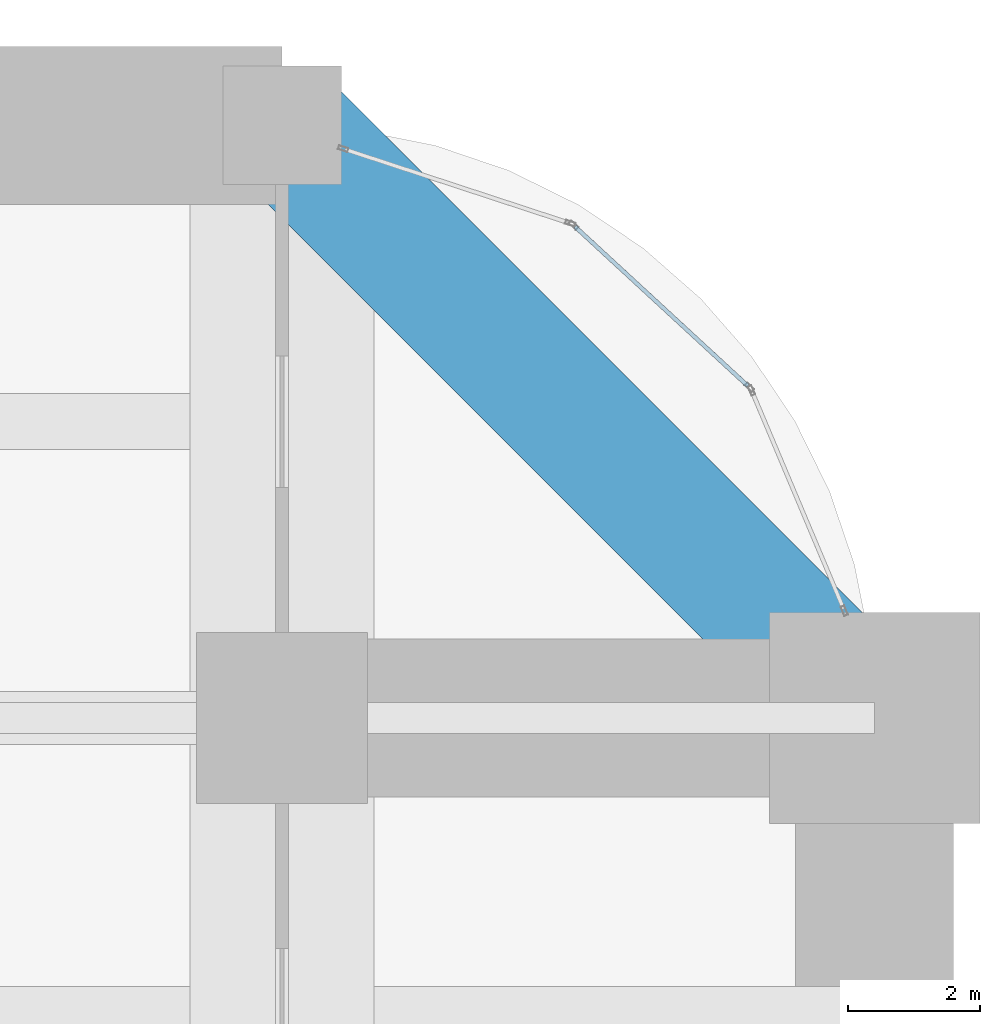
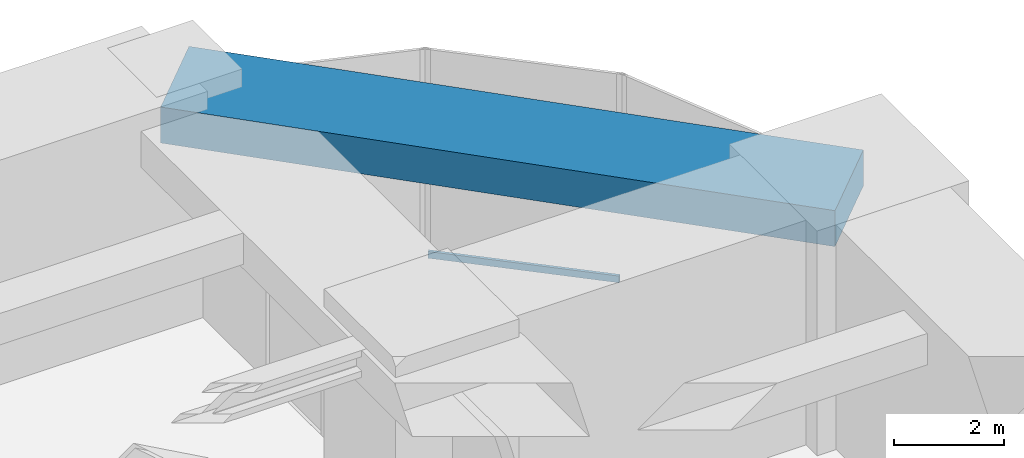
# One storey, part 33 of 38: 1 beam, 1 member, 1 element without a shape of its own.
"""IFC4 building model written with IfcOpenShell, lengths in metres."""

import ifcopenshell
import ifcopenshell.guid

model = None  # the IFC model being written
_history = None  # IfcOwnerHistory: only IFC2X3 demands one
_inside = {}  # id of a spatial element -> (the spatial element, [elements in it])
_under = {}  # id of a project, library or spatial element -> (it, [spatial elements below it])
_declared = {}  # id of a project -> (the project, [libraries it declares])
_typed = {}  # id of a type object -> (the type object, [elements of that type])
_made_of = {}  # id of a material, layer set ... -> (it, [elements and type objects made of it])


def new_model(schema):
    """Start an empty IFC model of exactly this schema.

    Asked for "IFC4X3", IfcOpenShell would pick the latest addendum, in which some entities
    have other attributes; the version numbers below select the first issue.
    IFC2X3 requires an IfcOwnerHistory on every rooted entity: one is made here for all.
    """
    global model, _history
    if schema == "IFC4X3":
        model = ifcopenshell.file(schema_version=(4, 3, 0, 0))
    else:
        model = ifcopenshell.file(schema=schema)
    _inside.clear()
    _under.clear()
    _declared.clear()
    _typed.clear()
    _made_of.clear()
    _history = None
    if model.schema == "IFC2X3":
        org = make("IfcOrganization", Name="unknown")
        user = make(
            "IfcPersonAndOrganization",
            ThePerson=make("IfcPerson", FamilyName="unknown"),
            TheOrganization=org,
        )
        app = make(
            "IfcApplication",
            ApplicationDeveloper=org,
            Version="unknown",
            ApplicationFullName="unknown",
            ApplicationIdentifier="unknown",
        )
        _history = make(
            "IfcOwnerHistory",
            OwningUser=user,
            OwningApplication=app,
            ChangeAction="ADDED",
            CreationDate=0,
        )
    return model


def make(cls, **values):
    """One entity of the class cls with the attributes given. An attribute that is None is left unset."""
    return model.create_entity(
        cls, **{name: value for name, value in values.items() if value is not None}
    )


def rooted(cls, **values):
    """An entity with a GlobalId (a new one), such as an element, a storey or a relation."""
    return make(cls, GlobalId=ifcopenshell.guid.new(), OwnerHistory=_history, **values)


def si_unit(unit_type, name, prefix=None):
    """IfcSIUnit, for example si_unit("LENGTHUNIT", "METRE", prefix="MILLI")."""
    return make("IfcSIUnit", UnitType=unit_type, Prefix=prefix, Name=name)


def assignment(units):
    """IfcUnitAssignment: the units of a project."""
    return None if units is None else make("IfcUnitAssignment", Units=units)


def point(xyz):
    """IfcCartesianPoint."""
    return None if xyz is None else make("IfcCartesianPoint", Coordinates=xyz)


def direction(xyz):
    """IfcDirection."""
    return None if xyz is None else make("IfcDirection", DirectionRatios=xyz)


def frame(location, z_axis=None, x_axis=None):
    """IfcAxis2Placement3D, a coordinate frame: its origin and axes. An axis left out is left unset."""
    return make(
        "IfcAxis2Placement3D",
        Location=point(location),
        Axis=direction(z_axis),
        RefDirection=direction(x_axis),
    )


def frame_2d(location, x_axis=None):
    """IfcAxis2Placement2D, a coordinate frame in the plane: its origin and x axis."""
    return make(
        "IfcAxis2Placement2D", Location=point(location), RefDirection=direction(x_axis)
    )


def origin():
    """The frame at (0, 0, 0) with its axes left unset."""
    return frame((0.0, 0.0, 0.0))


def origin_2d():
    """The frame at (0, 0) in the plane with its x axis left unset."""
    return frame_2d((0.0, 0.0))


def place(relative_to, where):
    """IfcLocalPlacement: puts the frame where relative to a parent placement (None: the world)."""
    return make(
        "IfcLocalPlacement", PlacementRelTo=relative_to, RelativePlacement=where
    )


def context(
    kind, dimensions, precision=None, world=None, true_north=None, identifier=None
):
    """IfcGeometricRepresentationContext, for example the 3D "Model" context."""
    return make(
        "IfcGeometricRepresentationContext",
        ContextIdentifier=identifier,
        ContextType=kind,
        CoordinateSpaceDimension=dimensions,
        Precision=precision,
        WorldCoordinateSystem=world,
        TrueNorth=true_north,
    )


def subcontext(parent, identifier, kind, view, scale=None):
    """IfcGeometricRepresentationSubContext, for example "Body" below "Model"."""
    return make(
        "IfcGeometricRepresentationSubContext",
        ContextIdentifier=identifier,
        ContextType=kind,
        ParentContext=parent,
        TargetScale=scale,
        TargetView=view,
    )


def project(units=None, contexts=None):
    """IfcProject with its units and contexts."""
    return rooted(
        "IfcProject",
        Name="project",
        RepresentationContexts=contexts,
        UnitsInContext=assignment(units),
    )


def spatial(cls, under=None, at=None, **own):
    """A site, building, storey or space (cls), placed at a placement, below another one or the project."""
    s = rooted(cls, ObjectPlacement=at, **own)
    if under is not None:
        _under.setdefault(under.id(), (under, []))[1].append(s)
    return s


def profile(cls, at=None, kind="AREA", **sizes):
    """A parametric profile (cls). Its sizes go by their IFC names, for example OverallWidth=200.0."""
    return make(cls, ProfileType=kind, Position=at, **sizes)


def rectangle(**sizes):
    """IfcRectangleProfileDef."""
    return profile("IfcRectangleProfileDef", **sizes)


def hollow_rectangle(**sizes):
    """IfcRectangleHollowProfileDef."""
    return profile("IfcRectangleHollowProfileDef", **sizes)


def extrude(swept, where, along, depth):
    """IfcExtrudedAreaSolid: the profile swept, set in the frame where, extruded along a direction by depth."""
    return make(
        "IfcExtrudedAreaSolid",
        SweptArea=swept,
        Position=where,
        ExtrudedDirection=direction(along),
        Depth=depth,
    )


def shape(context_of_items, identifier, shape_type, items):
    """IfcShapeRepresentation: the items that make up one representation, for example the "Body"."""
    return make(
        "IfcShapeRepresentation",
        ContextOfItems=context_of_items,
        RepresentationIdentifier=identifier,
        RepresentationType=shape_type,
        Items=items,
    )


def material(Name=None, Category=None):
    """IfcMaterial."""
    return make("IfcMaterial", Name=Name, Category=Category)


def material_profile(
    of_material, cross_section, Name=None, Category=None, Priority=None
):
    """IfcMaterialProfile: a cross section and its material."""
    return make(
        "IfcMaterialProfile",
        Name=Name,
        Material=of_material,
        Profile=cross_section,
        Priority=Priority,
        Category=Category,
    )


def profile_set(profiles, Name=None, composite=None):
    """IfcMaterialProfileSet."""
    return make(
        "IfcMaterialProfileSet",
        Name=Name,
        MaterialProfiles=profiles,
        CompositeProfile=composite,
    )


def made_of(thing, what):
    """Note that an element or type object is made of a material, layer set ...; save() writes the relation."""
    if what is not None:
        _made_of.setdefault(what.id(), (what, []))[1].append(thing)
    return thing


def type_object(cls, material=None, **own):
    """A type object (cls), such as IfcWallType, which elements share."""
    return made_of(rooted(cls, **own), material)


def element(
    cls,
    number,
    at=None,
    inside=None,
    cuts=None,
    type_object=None,
    material=None,
    context=None,
    identifier="Body",
    shape_type=None,
    held_by="IfcProductDefinitionShape",
    body=None,
    shapes=None,
    **own,
):
    """One element of the class cls, such as IfcWall. Its Tag is "e" and its number.

    at: its placement. inside: the storey or other place that contains it. cuts: it is an
    opening in that element (IfcRelVoidsElement). A single representation is given by context,
    identifier, shape_type and body (its items); several are given by shapes. held_by: the class
    of the entity that holds the representations. save() writes the other relations.
    """
    e = rooted(cls, Tag="e%d" % number, ObjectPlacement=at, **own)
    if body is not None:
        shapes = [shape(context, identifier, shape_type, body)]
    if shapes is not None:
        e.Representation = make(held_by, Representations=shapes)
    if inside is not None:
        _inside.setdefault(inside.id(), (inside, []))[1].append(e)
    if cuts is not None:
        rooted(
            "IfcRelVoidsElement", RelatingBuildingElement=cuts, RelatedOpeningElement=e
        )
    if type_object is not None:
        _typed.setdefault(type_object.id(), (type_object, []))[1].append(e)
    return made_of(e, material)


def aggregate(whole, parts):
    """IfcRelAggregates: a whole, such as a stair, and the parts it consists of."""
    return rooted("IfcRelAggregates", RelatingObject=whole, RelatedObjects=parts)


def save(model, path):
    """Write the relations noted so far, then the file.

    IfcRelAggregates (storeys below a building ...), IfcRelContainedInSpatialStructure (elements
    in a storey), IfcRelDefinesByType, IfcRelAssociatesMaterial and IfcRelDeclares: one each for
    every whole, place, type object, material and project.
    """
    for whole, parts in _under.values():
        aggregate(whole, parts)
    for where, things in _inside.values():
        rooted(
            "IfcRelContainedInSpatialStructure",
            RelatedElements=things,
            RelatingStructure=where,
        )
    for kind, things in _typed.values():
        rooted("IfcRelDefinesByType", RelatedObjects=things, RelatingType=kind)
    for what, things in _made_of.values():
        rooted("IfcRelAssociatesMaterial", RelatedObjects=things, RelatingMaterial=what)
    for by, libraries in _declared.values():
        rooted("IfcRelDeclares", RelatingContext=by, RelatedDefinitions=libraries)
    model.write(path)


model = new_model("IFC4")

# Units and contexts
model_context = context("Model", 3, precision=1e-05, world=origin(), true_north=direction((0.0, 1.0)))
body_context = subcontext(model_context, "Body", "Model", "MODEL_VIEW")
ifc_project = project(units=[si_unit("LENGTHUNIT", "METRE"), si_unit("AREAUNIT", "SQUARE_METRE"), si_unit("VOLUMEUNIT", "CUBIC_METRE"), si_unit("PLANEANGLEUNIT", "RADIAN"), si_unit("MASSUNIT", "GRAM", prefix="KILO")], contexts=[model_context])

# Site, building, storey
site_placement = place(None, origin())
site = spatial("IfcSite", under=ifc_project, at=site_placement, CompositionType="ELEMENT")
building_placement = place(site_placement, origin())
building = spatial("IfcBuilding", under=site, at=building_placement, Name="Zorevar Civic Tower", CompositionType="ELEMENT")
storey_placement = place(building_placement, frame((0.0, 0.0, 157.199951171875)))
storey = spatial("IfcBuildingStorey", under=building, at=storey_placement, Name="L38", CompositionType="ELEMENT", Elevation=157.199951171875)

# Curtain wall, member
ifc_material_1 = material(Name="Black aluminium louvres", Category="aluminium")
curtain_wall_type = type_object("IfcCurtainWallType", Name="Louvred curtain wall CW6 refuge", PredefinedType="NOTDEFINED", material=ifc_material_1)
curtain_wall_placement = place(storey_placement, origin())
curtain_wall = element("IfcCurtainWall", 1, at=curtain_wall_placement, inside=storey, type_object=curtain_wall_type, Name="CW6 L38", PredefinedType="NOTDEFINED")
ifc_material_2 = material(Name="Aluminium, black anodised", Category="aluminium")
ifc_material_profile_1 = material_profile(ifc_material_2, hollow_rectangle(XDim=0.06005859375, YDim=0.14990234375, WallThickness=0.00390625, at=origin_2d()), Name="AL 150x60x4")
ifc_profile_set_1 = profile_set([ifc_material_profile_1], Name="Aluminium, black anodised")
member_type = type_object("IfcMemberType", Name="CW6 transom AL 150x60x4", PredefinedType="USERDEFINED", material=ifc_profile_set_1)
member_placement = place(storey_placement, frame((61.074951171875, 41.04150390625, 0.030029296875), z_axis=(-0.735277810103, 0.677765845975, 0.0), x_axis=(-0.677765845975, -0.735277810103, 0.0)))
member = element("IfcMember", 2, at=member_placement, type_object=member_type, Name="CW6 sill transom", ObjectType="TRANSOM", PredefinedType="USERDEFINED", context=body_context, shape_type="SweptSolid", body=[
    extrude(hollow_rectangle(XDim=0.06005859375, YDim=0.14990234375, WallThickness=0.00390625, at=origin_2d()), origin(), (0.0, 0.0, 1.0), 3.570068359375),
])
aggregate(curtain_wall, [member])

# Beam
ifc_material_3 = material(Name="Concrete C50/60", Category="concrete")
ifc_material_profile_2 = material_profile(ifc_material_3, rectangle(XDim=2.0, YDim=0.800048828125, at=origin_2d()), Name="RC 2000x800")
ifc_profile_set_2 = profile_set([ifc_material_profile_2], Name="Concrete C50/60")
beam_type = type_object("IfcBeamType", Name="Edge beam RC 2000x800", PredefinedType="SPANDREL", material=ifc_profile_set_2)
beam_placement = place(storey_placement, frame((63.0, 36.0, 4.199951171875), z_axis=(-0.707106781187, 0.707106781187, 0.0), x_axis=(-0.707106781187, -0.707106781187, 0.0)))
element("IfcBeam", 3, at=beam_placement, inside=storey, type_object=beam_type, Name="Corner edge beam L39", PredefinedType="SPANDREL", context=body_context, shape_type="SweptSolid", body=[
    extrude(rectangle(XDim=2.0, YDim=0.800048828125, at=origin_2d()), origin(), (0.0, 0.0, 1.0), 12.72802734375),
])

save(model, "model.ifc")
